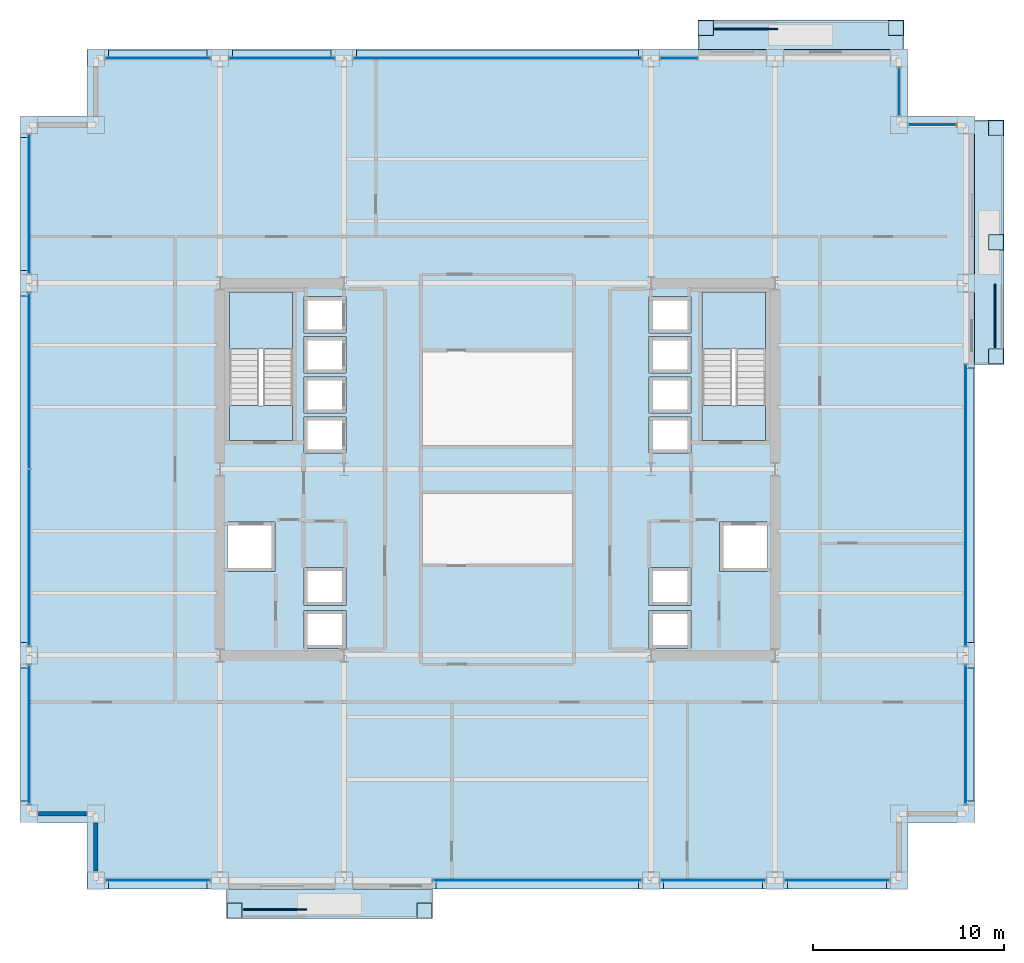
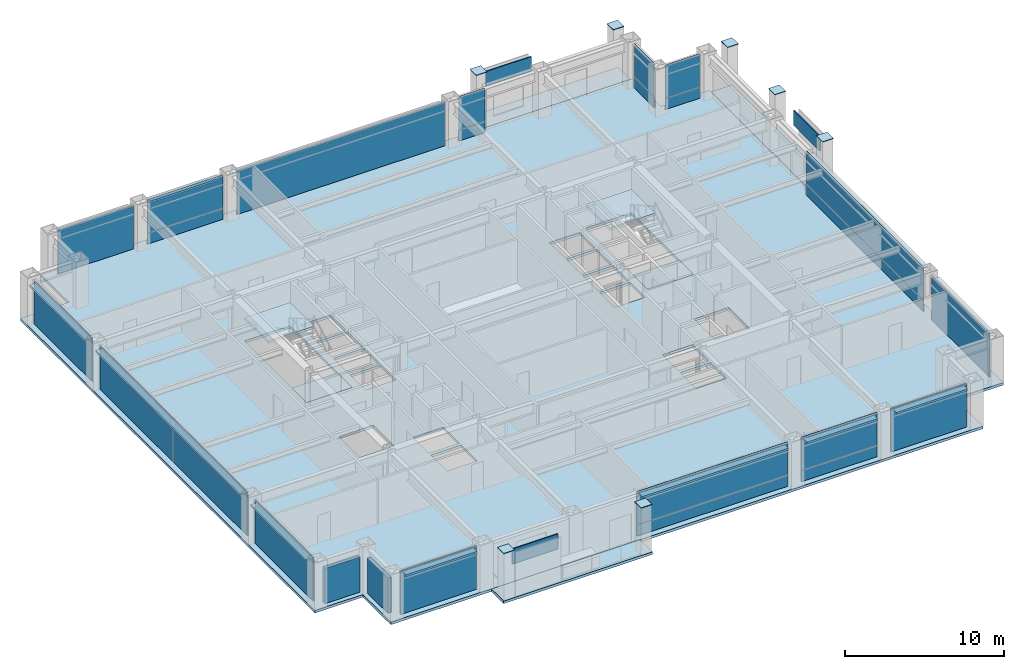
# One storey, part 24 of 31: 45 plates, 8 slabs, 2 walls, 17 elements without a shape of their own.
"""IFC4 building model written with IfcOpenShell, lengths in metres."""

from ifc_helpers import new_model, si_unit, direction, frame, frame_2d, origin, origin_2d, place, context, subcontext, project, spatial, polyline, rectangle, outline, extrude, material, layer, layer_set, type_object, element, aggregate, save


model = new_model("IFC4")

# Units and contexts
model_context = context("Model", 3, precision=1e-05, world=origin(), true_north=direction((0.0, 1.0)))
body_context = subcontext(model_context, "Body", "Model", "MODEL_VIEW")
ifc_project = project(units=[si_unit("LENGTHUNIT", "METRE"), si_unit("AREAUNIT", "SQUARE_METRE"), si_unit("VOLUMEUNIT", "CUBIC_METRE"), si_unit("PLANEANGLEUNIT", "RADIAN"), si_unit("MASSUNIT", "GRAM", prefix="KILO")], contexts=[model_context])

# Site, building, storey
site_placement = place(None, origin())
site = spatial("IfcSite", under=ifc_project, at=site_placement, CompositionType="ELEMENT")
building_placement = place(site_placement, origin())
building = spatial("IfcBuilding", under=site, at=building_placement, Name="Brelmoor Portico Tower", CompositionType="ELEMENT")
storey_placement = place(building_placement, frame((0.0, 0.0, 31.199951171875)))
storey = spatial("IfcBuildingStorey", under=building, at=storey_placement, Name="L07", CompositionType="ELEMENT", Elevation=31.199951171875)

# Plates
ifc_material_1 = material(Name="Steel Q355B", Category="steel")
ifc_layer_1 = layer(ifc_material_1, 0.044921875)
ifc_layer_set_1 = layer_set([ifc_layer_1], Name="Steel Q355B")
plate_type_1 = type_object("IfcPlateType", Name="PT-CAP-650", PredefinedType="SHEET", material=ifc_layer_set_1)
for number, where, z_axis, x_axis, name in (
    (1, (-13.780029296875, -23.1298828125, 3.60009765625), (0.0, 0.0, 1.0), (1.0, 0.0, 0.0), "L07 Proud Picture-Frame Pier PFJ-S1 Welded Head Cap Plate"),
    (2, (-3.820068359375, -23.1298828125, 3.60009765625), (0.0, 0.0, 1.0), (1.0, 0.0, 0.0), "L07 Proud Picture-Frame Pier PFJ-S2 Welded Head Cap Plate"),
    (3, (10.919921875, 23.1298828125, 3.60009765625), (0.0, 0.0, 1.0), (1.0, 0.0, 0.0), "L07 Proud Picture-Frame Pier PFJ-N1 Welded Head Cap Plate"),
    (4, (20.8798828125, 23.1298828125, 3.60009765625), (0.0, 0.0, 1.0), (1.0, 0.0, 0.0), "L07 Proud Picture-Frame Pier PFJ-N2 Welded Head Cap Plate"),
    (5, (26.1298828125, 5.919921875, 3.60009765625), (0.0, 0.0, 1.0), (0.0, 1.0, 0.0), "L07 Proud Picture-Frame Pier PFJ-E1 Welded Head Cap Plate"),
    (6, (26.1298828125, 17.8798828125, 3.60009765625), (0.0, 0.0, 1.0), (0.0, 1.0, 0.0), "L07 Proud Picture-Frame Pier PFJ-E2 Welded Head Cap Plate"),
    (7, (26.1298828125, 11.89990234375, 3.60009765625), (0.0, 0.0, 1.0), (0.0, 1.0, 0.0), "L07 Proud Picture-Frame Pier PFJ-E3 Welded Head Cap Plate"),
):
    element("IfcPlate", number, at=place(storey_placement, frame(where, z_axis=z_axis, x_axis=x_axis)), inside=storey, type_object=plate_type_1, Name=name, PredefinedType="SHEET", context=body_context, shape_type="SweptSolid", body=[
        extrude(rectangle(XDim=0.7900390625, YDim=0.7900390625, at=origin_2d()), origin(), (0.0, 0.0, 1.0), 0.0400390625),
    ])

# Curtain wall, plate
ifc_material_2 = material(Name="Anodised Aluminium Alloy 6063-T6", Category="aluminium")
ifc_layer_2 = layer(ifc_material_2, 0.179931640625)
ifc_layer_set_2 = layer_set([ifc_layer_2], Name="Anodised Aluminium Alloy 6063-T6")
curtain_wall_type_1 = type_object("IfcCurtainWallType", Name="CW-TOWER-Z1", PredefinedType="NOTDEFINED", material=ifc_layer_set_2)
curtain_wall_1_placement = place(storey_placement, origin())
curtain_wall_1 = element("IfcCurtainWall", 8, at=curtain_wall_1_placement, inside=storey, type_object=curtain_wall_type_1, Name="L07 Curtain Wall CW-L07-1R-1", PredefinedType="NOTDEFINED")
ifc_material_3 = material(Name="Double-Silver Low-E Insulated Glazing", Category="glass")
ifc_layer_3 = layer(ifc_material_3, 0.035888671875)
ifc_layer_set_3 = layer_set([ifc_layer_3], Name="Double-Silver Low-E Insulated Glazing")
plate_type_2 = type_object("IfcPlateType", Name="PT-CW-GLASS", PredefinedType="CURTAIN_PANEL", material=ifc_layer_set_3)
plate_1_placement = place(storey_placement, frame((2.08251953125, -21.550048828125, 0.85009765625), z_axis=(0.0, 0.0, 1.0), x_axis=(1.0, 0.0, 0.0)))
plate_1 = element("IfcPlate", 9, at=plate_1_placement, type_object=plate_type_2, Name="CW-L07-1R-1 Vision Glass Panel 00", PredefinedType="CURTAIN_PANEL", context=body_context, shape_type="SweptSolid", body=[
    extrude(rectangle(XDim=10.93505859375, YDim=0.035888671875, at=origin_2d()), origin(), (0.0, 0.0, 1.0), 2.550048828125),
])

curtain_wall_2_placement = place(storey_placement, origin())
curtain_wall_2 = element("IfcCurtainWall", 10, at=curtain_wall_2_placement, inside=storey, type_object=curtain_wall_type_1, Name="L07 Curtain Wall CW-L07-1R-2", PredefinedType="NOTDEFINED")
plate_2_placement = place(storey_placement, frame((11.300048828125, -21.550048828125, 0.85009765625), z_axis=(0.0, 0.0, 1.0), x_axis=(1.0, 0.0, 0.0)))
plate_2 = element("IfcPlate", 11, at=plate_2_placement, type_object=plate_type_2, Name="CW-L07-1R-2 Vision Glass Panel 00", PredefinedType="CURTAIN_PANEL", context=body_context, shape_type="SweptSolid", body=[
    extrude(rectangle(XDim=5.5, YDim=0.035888671875, at=origin_2d()), origin(), (0.0, 0.0, 1.0), 2.550048828125),
])

curtain_wall_3_placement = place(storey_placement, origin())
curtain_wall_3 = element("IfcCurtainWall", 12, at=curtain_wall_3_placement, inside=storey, type_object=curtain_wall_type_1, Name="L07 Curtain Wall CW-L07-2L-2", PredefinedType="NOTDEFINED")
plate_3_placement = place(storey_placement, frame((-11.300048828125, 21.550048828125, 0.85009765625), z_axis=(0.0, 0.0, 1.0), x_axis=(1.0, 0.0, 0.0)))
plate_3 = element("IfcPlate", 13, at=plate_3_placement, type_object=plate_type_2, Name="CW-L07-2L-2 Vision Glass Panel 00", PredefinedType="CURTAIN_PANEL", context=body_context, shape_type="SweptSolid", body=[
    extrude(rectangle(XDim=5.5, YDim=0.035888671875, at=origin_2d()), origin(), (0.0, 0.0, 1.0), 2.550048828125),
])

curtain_wall_4_placement = place(storey_placement, origin())
curtain_wall_4 = element("IfcCurtainWall", 14, at=curtain_wall_4_placement, inside=storey, type_object=curtain_wall_type_1, Name="L07 Curtain Wall CW-L07-2L-4", PredefinedType="NOTDEFINED")
plate_4_placement = place(storey_placement, frame((9.517578125, 21.550048828125, 0.85009765625), z_axis=(0.0, 0.0, 1.0), x_axis=(1.0, 0.0, 0.0)))
plate_4 = element("IfcPlate", 15, at=plate_4_placement, type_object=plate_type_2, Name="CW-L07-2L-4 Vision Glass Panel 00", PredefinedType="CURTAIN_PANEL", context=body_context, shape_type="SweptSolid", body=[
    extrude(rectangle(XDim=1.93505859375, YDim=0.035888671875, at=origin_2d()), origin(), (0.0, 0.0, 1.0), 2.550048828125),
])

curtain_wall_5_placement = place(storey_placement, origin())
curtain_wall_5 = element("IfcCurtainWall", 16, at=curtain_wall_5_placement, inside=storey, type_object=curtain_wall_type_1, Name="L07 Curtain Wall CW-L07-4L-2", PredefinedType="NOTDEFINED")
plate_5_placement = place(storey_placement, frame((24.550048828125, -1.882568359375, 0.85009765625), z_axis=(0.0, 0.0, 1.0), x_axis=(0.0, 1.0, 0.0)))
plate_5 = element("IfcPlate", 17, at=plate_5_placement, type_object=plate_type_2, Name="CW-L07-4L-2 Vision Glass Panel 00", PredefinedType="CURTAIN_PANEL", context=body_context, shape_type="SweptSolid", body=[
    extrude(rectangle(XDim=14.735107421875, YDim=0.035888671875, at=origin_2d()), origin(), (0.0, 0.0, 1.0), 2.550048828125),
])

ifc_layer_4 = layer(ifc_material_2, 0.179931640625)
ifc_layer_set_4 = layer_set([ifc_layer_4], Name="Anodised Aluminium Alloy 6063-T6")
curtain_wall_type_2 = type_object("IfcCurtainWallType", Name="CW-NOTCH-CHAMFER", PredefinedType="NOTDEFINED", material=ifc_layer_set_4)
curtain_wall_6_placement = place(storey_placement, origin())
curtain_wall_6 = element("IfcCurtainWall", 18, at=curtain_wall_6_placement, inside=storey, type_object=curtain_wall_type_2, Name="L07 Curtain Wall CWN-L07-NEH", PredefinedType="NOTDEFINED")
plate_6_placement = place(storey_placement, frame((22.800048828125, 18.050048828125, 0.85009765625), z_axis=(0.0, 0.0, 1.0), x_axis=(1.0, 0.0, 0.0)))
plate_6 = element("IfcPlate", 19, at=plate_6_placement, type_object=plate_type_2, Name="CWN-L07-NEH Vision Glass Panel 00", PredefinedType="CURTAIN_PANEL", context=body_context, shape_type="SweptSolid", body=[
    extrude(rectangle(XDim=2.5, YDim=0.035888671875, at=origin_2d()), origin(), (0.0, 0.0, 1.0), 2.550048828125),
])

curtain_wall_7_placement = place(storey_placement, origin())
curtain_wall_7 = element("IfcCurtainWall", 20, at=curtain_wall_7_placement, inside=storey, type_object=curtain_wall_type_2, Name="L07 Curtain Wall CWN-L07-NEV", PredefinedType="NOTDEFINED")
plate_7_placement = place(storey_placement, frame((21.050048828125, 19.800048828125, 0.85009765625), z_axis=(0.0, 0.0, 1.0), x_axis=(0.0, 1.0, 0.0)))
plate_7 = element("IfcPlate", 21, at=plate_7_placement, type_object=plate_type_2, Name="CWN-L07-NEV Vision Glass Panel 00", PredefinedType="CURTAIN_PANEL", context=body_context, shape_type="SweptSolid", body=[
    extrude(rectangle(XDim=2.5, YDim=0.035888671875, at=origin_2d()), origin(), (0.0, 0.0, 1.0), 2.550048828125),
])

ifc_layer_5 = layer(ifc_material_2, 0.179931640625)
ifc_layer_set_5 = layer_set([ifc_layer_5], Name="Anodised Aluminium Alloy 6063-T6")
curtain_wall_type_3 = type_object("IfcCurtainWallType", Name="CW-TOWER-Z1-XB", PredefinedType="NOTDEFINED", material=ifc_layer_set_5)
curtain_wall_8_placement = place(storey_placement, origin())
curtain_wall_8 = element("IfcCurtainWall", 22, at=curtain_wall_8_placement, inside=storey, type_object=curtain_wall_type_3, Name="L07 Curtain Wall CW-L07-1L", PredefinedType="NOTDEFINED")
ifc_material_4 = material(Name="Pale Champagne Anodised Aluminium Panel", Category="aluminium")
ifc_layer_6 = layer(ifc_material_4, 0.050048828125)
ifc_layer_set_6 = layer_set([ifc_layer_6], Name="Pale Champagne Anodised Aluminium Panel")
plate_type_3 = type_object("IfcPlateType", Name="PT-CW-SPANDREL", PredefinedType="SHEET", material=ifc_layer_set_6)
plate_8_placement = place(storey_placement, frame((-17.800048828125, -21.550048828125, 0.0), z_axis=(0.0, 0.0, 1.0), x_axis=(1.0, 0.0, 0.0)))
plate_8 = element("IfcPlate", 23, at=plate_8_placement, type_object=plate_type_3, Name="CW-L07-1L Spandrel Panel 00", PredefinedType="SHEET", context=body_context, shape_type="SweptSolid", body=[
    extrude(rectangle(XDim=5.5, YDim=0.050048828125, at=origin_2d()), origin(), (0.0, 0.0, 1.0), 3.330078125),
])
aggregate(curtain_wall_8, [plate_8])

# Plate
plate_9_placement = place(storey_placement, frame((2.08251953125, -21.550048828125, 0.0), z_axis=(0.0, 0.0, 1.0), x_axis=(1.0, 0.0, 0.0)))
plate_9 = element("IfcPlate", 24, at=plate_9_placement, type_object=plate_type_3, Name="CW-L07-1R-1 Spandrel Panel 00", PredefinedType="SHEET", context=body_context, shape_type="SweptSolid", body=[
    extrude(rectangle(XDim=10.93505859375, YDim=0.050048828125, at=origin_2d()), origin(), (0.0, 0.0, 1.0), 0.85009765625),
])

aggregate(curtain_wall_1, [plate_9, plate_1])

plate_10_placement = place(storey_placement, frame((11.300048828125, -21.550048828125, 0.0), z_axis=(0.0, 0.0, 1.0), x_axis=(1.0, 0.0, 0.0)))
plate_10 = element("IfcPlate", 25, at=plate_10_placement, type_object=plate_type_3, Name="CW-L07-1R-2 Spandrel Panel 00", PredefinedType="SHEET", context=body_context, shape_type="SweptSolid", body=[
    extrude(rectangle(XDim=5.5, YDim=0.050048828125, at=origin_2d()), origin(), (0.0, 0.0, 1.0), 0.85009765625),
])

aggregate(curtain_wall_2, [plate_10, plate_2])

# Curtain wall, plate
curtain_wall_9_placement = place(storey_placement, origin())
curtain_wall_9 = element("IfcCurtainWall", 26, at=curtain_wall_9_placement, inside=storey, type_object=curtain_wall_type_3, Name="L07 Curtain Wall CW-L07-1R-3", PredefinedType="NOTDEFINED")
plate_11_placement = place(storey_placement, frame((17.800048828125, -21.550048828125, 0.0), z_axis=(0.0, 0.0, 1.0), x_axis=(1.0, 0.0, 0.0)))
plate_11 = element("IfcPlate", 27, at=plate_11_placement, type_object=plate_type_3, Name="CW-L07-1R-3 Spandrel Panel 00", PredefinedType="SHEET", context=body_context, shape_type="SweptSolid", body=[
    extrude(rectangle(XDim=5.5, YDim=0.050048828125, at=origin_2d()), origin(), (0.0, 0.0, 1.0), 3.330078125),
])
aggregate(curtain_wall_9, [plate_11])

curtain_wall_10_placement = place(storey_placement, origin())
curtain_wall_10 = element("IfcCurtainWall", 28, at=curtain_wall_10_placement, inside=storey, type_object=curtain_wall_type_3, Name="L07 Curtain Wall CW-L07-2L-1", PredefinedType="NOTDEFINED")
plate_12_placement = place(storey_placement, frame((-17.800048828125, 21.550048828125, 0.0), z_axis=(0.0, 0.0, 1.0), x_axis=(1.0, 0.0, 0.0)))
plate_12 = element("IfcPlate", 29, at=plate_12_placement, type_object=plate_type_3, Name="CW-L07-2L-1 Spandrel Panel 00", PredefinedType="SHEET", context=body_context, shape_type="SweptSolid", body=[
    extrude(rectangle(XDim=5.5, YDim=0.050048828125, at=origin_2d()), origin(), (0.0, 0.0, 1.0), 3.330078125),
])
aggregate(curtain_wall_10, [plate_12])

# Plate
plate_13_placement = place(storey_placement, frame((-11.300048828125, 21.550048828125, 0.0), z_axis=(0.0, 0.0, 1.0), x_axis=(1.0, 0.0, 0.0)))
plate_13 = element("IfcPlate", 30, at=plate_13_placement, type_object=plate_type_3, Name="CW-L07-2L-2 Spandrel Panel 00", PredefinedType="SHEET", context=body_context, shape_type="SweptSolid", body=[
    extrude(rectangle(XDim=5.5, YDim=0.050048828125, at=origin_2d()), origin(), (0.0, 0.0, 1.0), 0.85009765625),
])

aggregate(curtain_wall_3, [plate_13, plate_3])

# Curtain wall, plate
curtain_wall_11_placement = place(storey_placement, origin())
curtain_wall_11 = element("IfcCurtainWall", 31, at=curtain_wall_11_placement, inside=storey, type_object=curtain_wall_type_3, Name="L07 Curtain Wall CW-L07-2L-3", PredefinedType="NOTDEFINED")
plate_14_placement = place(storey_placement, frame((0.0, 21.550048828125, 0.0), z_axis=(0.0, 0.0, 1.0), x_axis=(1.0, 0.0, 0.0)))
plate_14 = element("IfcPlate", 32, at=plate_14_placement, type_object=plate_type_3, Name="CW-L07-2L-3 Spandrel Panel 00", PredefinedType="SHEET", context=body_context, shape_type="SweptSolid", body=[
    extrude(rectangle(XDim=15.10009765625, YDim=0.050048828125, at=origin_2d()), origin(), (0.0, 0.0, 1.0), 3.330078125),
])
aggregate(curtain_wall_11, [plate_14])

# Plate
plate_15_placement = place(storey_placement, frame((9.517578125, 21.550048828125, 0.0), z_axis=(0.0, 0.0, 1.0), x_axis=(1.0, 0.0, 0.0)))
plate_15 = element("IfcPlate", 33, at=plate_15_placement, type_object=plate_type_3, Name="CW-L07-2L-4 Spandrel Panel 00", PredefinedType="SHEET", context=body_context, shape_type="SweptSolid", body=[
    extrude(rectangle(XDim=1.93505859375, YDim=0.050048828125, at=origin_2d()), origin(), (0.0, 0.0, 1.0), 0.85009765625),
])

aggregate(curtain_wall_4, [plate_15, plate_4])

# Curtain wall, plate
curtain_wall_12_placement = place(storey_placement, origin())
curtain_wall_12 = element("IfcCurtainWall", 34, at=curtain_wall_12_placement, inside=storey, type_object=curtain_wall_type_3, Name="L07 Curtain Wall CW-L07-03-1", PredefinedType="NOTDEFINED")
plate_16_placement = place(storey_placement, frame((-24.550048828125, -13.89990234375, 0.0), z_axis=(0.0, 0.0, 1.0), x_axis=(0.0, 1.0, 0.0)))
plate_16 = element("IfcPlate", 35, at=plate_16_placement, type_object=plate_type_3, Name="CW-L07-03-1 Spandrel Panel 00", PredefinedType="SHEET", context=body_context, shape_type="SweptSolid", body=[
    extrude(rectangle(XDim=7.300048828125, YDim=0.050048828125, at=origin_2d()), origin(), (0.0, 0.0, 1.0), 3.330078125),
])
aggregate(curtain_wall_12, [plate_16])

# Curtain wall, plates
curtain_wall_13_placement = place(storey_placement, origin())
curtain_wall_13 = element("IfcCurtainWall", 36, at=curtain_wall_13_placement, inside=storey, type_object=curtain_wall_type_3, Name="L07 Curtain Wall CW-L07-03-2", PredefinedType="NOTDEFINED")
plate_17_placement = place(storey_placement, frame((-24.550048828125, -4.632568359375, 0.0), z_axis=(0.0, 0.0, 1.0), x_axis=(0.0, 1.0, 0.0)))
plate_17 = element("IfcPlate", 37, at=plate_17_placement, type_object=plate_type_3, Name="CW-L07-03-2 Spandrel Panel 00", PredefinedType="SHEET", context=body_context, shape_type="SweptSolid", body=[
    extrude(rectangle(XDim=9.235107421875, YDim=0.050048828125, at=origin_2d()), origin(), (0.0, 0.0, 1.0), 3.330078125),
])
plate_18_placement = place(storey_placement, frame((-24.550048828125, 4.632568359375, 0.0), z_axis=(0.0, 0.0, 1.0), x_axis=(0.0, 1.0, 0.0)))
plate_18 = element("IfcPlate", 38, at=plate_18_placement, type_object=plate_type_3, Name="CW-L07-03-2 Spandrel Panel 01", PredefinedType="SHEET", context=body_context, shape_type="SweptSolid", body=[
    extrude(rectangle(XDim=9.235107421875, YDim=0.050048828125, at=origin_2d()), origin(), (0.0, 0.0, 1.0), 3.330078125),
])
aggregate(curtain_wall_13, [plate_17, plate_18])

# Curtain wall, plate
curtain_wall_14_placement = place(storey_placement, origin())
curtain_wall_14 = element("IfcCurtainWall", 39, at=curtain_wall_14_placement, inside=storey, type_object=curtain_wall_type_3, Name="L07 Curtain Wall CW-L07-03-3", PredefinedType="NOTDEFINED")
plate_19_placement = place(storey_placement, frame((-24.550048828125, 13.89990234375, 0.0), z_axis=(0.0, 0.0, 1.0), x_axis=(0.0, 1.0, 0.0)))
plate_19 = element("IfcPlate", 40, at=plate_19_placement, type_object=plate_type_3, Name="CW-L07-03-3 Spandrel Panel 00", PredefinedType="SHEET", context=body_context, shape_type="SweptSolid", body=[
    extrude(rectangle(XDim=7.300048828125, YDim=0.050048828125, at=origin_2d()), origin(), (0.0, 0.0, 1.0), 3.330078125),
])
aggregate(curtain_wall_14, [plate_19])

curtain_wall_15_placement = place(storey_placement, origin())
curtain_wall_15 = element("IfcCurtainWall", 41, at=curtain_wall_15_placement, inside=storey, type_object=curtain_wall_type_3, Name="L07 Curtain Wall CW-L07-4L-1", PredefinedType="NOTDEFINED")
plate_20_placement = place(storey_placement, frame((24.550048828125, -13.89990234375, 0.0), z_axis=(0.0, 0.0, 1.0), x_axis=(0.0, 1.0, 0.0)))
plate_20 = element("IfcPlate", 42, at=plate_20_placement, type_object=plate_type_3, Name="CW-L07-4L-1 Spandrel Panel 00", PredefinedType="SHEET", context=body_context, shape_type="SweptSolid", body=[
    extrude(rectangle(XDim=7.300048828125, YDim=0.050048828125, at=origin_2d()), origin(), (0.0, 0.0, 1.0), 3.330078125),
])
aggregate(curtain_wall_15, [plate_20])

# Plate
plate_21_placement = place(storey_placement, frame((24.550048828125, -1.882568359375, 0.0), z_axis=(0.0, 0.0, 1.0), x_axis=(0.0, 1.0, 0.0)))
plate_21 = element("IfcPlate", 43, at=plate_21_placement, type_object=plate_type_3, Name="CW-L07-4L-2 Spandrel Panel 00", PredefinedType="SHEET", context=body_context, shape_type="SweptSolid", body=[
    extrude(rectangle(XDim=14.735107421875, YDim=0.050048828125, at=origin_2d()), origin(), (0.0, 0.0, 1.0), 0.85009765625),
])

aggregate(curtain_wall_5, [plate_21, plate_5])

plate_22_placement = place(storey_placement, frame((22.800048828125, 18.050048828125, 0.0), z_axis=(0.0, 0.0, 1.0), x_axis=(1.0, 0.0, 0.0)))
plate_22 = element("IfcPlate", 44, at=plate_22_placement, type_object=plate_type_3, Name="CWN-L07-NEH Spandrel Panel 00", PredefinedType="SHEET", context=body_context, shape_type="SweptSolid", body=[
    extrude(rectangle(XDim=2.5, YDim=0.050048828125, at=origin_2d()), origin(), (0.0, 0.0, 1.0), 0.85009765625),
])

aggregate(curtain_wall_6, [plate_22, plate_6])

plate_23_placement = place(storey_placement, frame((21.050048828125, 19.800048828125, 0.0), z_axis=(0.0, 0.0, 1.0), x_axis=(0.0, 1.0, 0.0)))
plate_23 = element("IfcPlate", 45, at=plate_23_placement, type_object=plate_type_3, Name="CWN-L07-NEV Spandrel Panel 00", PredefinedType="SHEET", context=body_context, shape_type="SweptSolid", body=[
    extrude(rectangle(XDim=2.5, YDim=0.050048828125, at=origin_2d()), origin(), (0.0, 0.0, 1.0), 0.85009765625),
])

aggregate(curtain_wall_7, [plate_23, plate_7])

# Plates
ifc_material_5 = material(Name="Powder-Coated Aluminium Shuttered Jalousie Louvre", Category="aluminium")
ifc_layer_7 = layer(ifc_material_5, 0.06005859375)
ifc_layer_set_7 = layer_set([ifc_layer_7], Name="Powder-Coated Aluminium Shuttered Jalousie Louvre")
plate_type_4 = type_object("IfcPlateType", Name="PT-JALOUSIE-SHUTTER", PredefinedType="SHEET", material=ifc_layer_set_7)
for number, where, z_axis, x_axis, name in (
    (46, (-11.64990234375, -23.080078125, 2.275146484375), (0.0, 0.0, 1.0), (1.0, 0.0, 0.0), "L07 Shuttered Veranda Screen S"),
    (47, (13.050048828125, 23.080078125, 2.275146484375), (0.0, 0.0, 1.0), (1.0, 0.0, 0.0), "L07 Shuttered Veranda Screen N"),
    (48, (26.080078125, 8.050048828125, 2.275146484375), (0.0, 0.0, 1.0), (0.0, 1.0, 0.0), "L07 Shuttered Veranda Screen E"),
):
    element("IfcPlate", number, at=place(storey_placement, frame(where, z_axis=z_axis, x_axis=x_axis)), inside=storey, type_object=plate_type_4, Name=name, PredefinedType="SHEET", context=body_context, shape_type="SweptSolid", body=[
        extrude(rectangle(XDim=3.300048828125, YDim=0.080078125, at=origin_2d()), origin(), (0.0, 0.0, 1.0), 1.14990234375),
    ])
ifc_material_6 = material(Name="Pale Champagne Perforated Aluminium Solar Screen", Category="aluminium")
ifc_layer_8 = layer(ifc_material_6, 0.054931640625)
ifc_layer_set_8 = layer_set([ifc_layer_8], Name="Pale Champagne Perforated Aluminium Solar Screen")
plate_type_5 = type_object("IfcPlateType", Name="PT-SOLAR-LOUVRE", PredefinedType="SHEET", material=ifc_layer_set_8)
plate_24_placement = place(storey_placement, frame((-17.800048828125, -21.760009765625, 3.09033203125), z_axis=(0.0, 0.0, 1.0), x_axis=(1.0, 0.0, 0.0)))
element("IfcPlate", 49, at=plate_24_placement, inside=storey, type_object=plate_type_5, Name="CW-L07-1L Caribbean Brise-Soleil Solar Screen", PredefinedType="SHEET", context=body_context, shape_type="SweptSolid", body=[
    extrude(rectangle(XDim=5.169921875, YDim=0.4599609375, at=origin_2d()), origin(), (0.0, 0.0, 1.0), 0.139892578125),
])
plate_25_placement = place(storey_placement, frame((2.08251953125, -21.760009765625, 3.09033203125), z_axis=(0.0, 0.0, 1.0), x_axis=(1.0, 0.0, 0.0)))
element("IfcPlate", 50, at=plate_25_placement, inside=storey, type_object=plate_type_5, Name="CW-L07-1R-1 Caribbean Brise-Soleil Solar Screen", PredefinedType="SHEET", context=body_context, shape_type="SweptSolid", body=[
    extrude(rectangle(XDim=10.60498046875, YDim=0.4599609375, at=origin_2d()), origin(), (0.0, 0.0, 1.0), 0.139892578125),
])
for number, where, z_axis, x_axis, name in (
    (51, (11.300048828125, -21.760009765625, 3.09033203125), (0.0, 0.0, 1.0), (1.0, 0.0, 0.0), "CW-L07-1R-2 Caribbean Brise-Soleil Solar Screen"),
    (52, (17.800048828125, -21.760009765625, 3.09033203125), (0.0, 0.0, 1.0), (1.0, 0.0, 0.0), "CW-L07-1R-3 Caribbean Brise-Soleil Solar Screen"),
    (53, (-17.800048828125, 21.760009765625, 3.09033203125), (0.0, 0.0, 1.0), (1.0, 0.0, 0.0), "CW-L07-2L-1 Caribbean Brise-Soleil Solar Screen"),
    (54, (-11.300048828125, 21.760009765625, 3.09033203125), (0.0, 0.0, 1.0), (1.0, 0.0, 0.0), "CW-L07-2L-2 Caribbean Brise-Soleil Solar Screen"),
):
    element("IfcPlate", number, at=place(storey_placement, frame(where, z_axis=z_axis, x_axis=x_axis)), inside=storey, type_object=plate_type_5, Name=name, PredefinedType="SHEET", context=body_context, shape_type="SweptSolid", body=[
        extrude(rectangle(XDim=5.169921875, YDim=0.4599609375, at=origin_2d()), origin(), (0.0, 0.0, 1.0), 0.139892578125),
    ])
plate_26_placement = place(storey_placement, frame((0.0, 21.760009765625, 3.09033203125), z_axis=(0.0, 0.0, 1.0), x_axis=(1.0, 0.0, 0.0)))
element("IfcPlate", 55, at=plate_26_placement, inside=storey, type_object=plate_type_5, Name="CW-L07-2L-3 Caribbean Brise-Soleil Solar Screen", PredefinedType="SHEET", context=body_context, shape_type="SweptSolid", body=[
    extrude(rectangle(XDim=14.77001953125, YDim=0.4599609375, at=origin_2d()), origin(), (0.0, 0.0, 1.0), 0.139892578125),
])
plate_27_placement = place(storey_placement, frame((-24.760009765625, -13.89990234375, 3.09033203125), z_axis=(0.0, 0.0, 1.0), x_axis=(0.0, 1.0, 0.0)))
element("IfcPlate", 56, at=plate_27_placement, inside=storey, type_object=plate_type_5, Name="CW-L07-03-1 Caribbean Brise-Soleil Solar Screen", PredefinedType="SHEET", context=body_context, shape_type="SweptSolid", body=[
    extrude(rectangle(XDim=6.969970703125, YDim=0.4599609375, at=origin_2d()), origin(), (0.0, 0.0, 1.0), 0.139892578125),
])
plate_28_placement = place(storey_placement, frame((-24.760009765625, 0.0, 3.09033203125), z_axis=(0.0, 0.0, 1.0), x_axis=(0.0, 1.0, 0.0)))
element("IfcPlate", 57, at=plate_28_placement, inside=storey, type_object=plate_type_5, Name="CW-L07-03-2 Caribbean Brise-Soleil Solar Screen", PredefinedType="SHEET", context=body_context, shape_type="SweptSolid", body=[
    extrude(rectangle(XDim=18.169921875, YDim=0.4599609375, at=origin_2d()), origin(), (0.0, 0.0, 1.0), 0.139892578125),
])
for number, where, z_axis, x_axis, name in (
    (58, (-24.760009765625, 13.89990234375, 3.09033203125), (0.0, 0.0, 1.0), (0.0, 1.0, 0.0), "CW-L07-03-3 Caribbean Brise-Soleil Solar Screen"),
    (59, (24.760009765625, -13.89990234375, 3.09033203125), (0.0, 0.0, 1.0), (0.0, 1.0, 0.0), "CW-L07-4L-1 Caribbean Brise-Soleil Solar Screen"),
):
    element("IfcPlate", number, at=place(storey_placement, frame(where, z_axis=z_axis, x_axis=x_axis)), inside=storey, type_object=plate_type_5, Name=name, PredefinedType="SHEET", context=body_context, shape_type="SweptSolid", body=[
        extrude(rectangle(XDim=6.969970703125, YDim=0.4599609375, at=origin_2d()), origin(), (0.0, 0.0, 1.0), 0.139892578125),
    ])
plate_29_placement = place(storey_placement, frame((24.760009765625, -1.882568359375, 3.09033203125), z_axis=(0.0, 0.0, 1.0), x_axis=(0.0, 1.0, 0.0)))
element("IfcPlate", 60, at=plate_29_placement, inside=storey, type_object=plate_type_5, Name="CW-L07-4L-2 Caribbean Brise-Soleil Solar Screen", PredefinedType="SHEET", context=body_context, shape_type="SweptSolid", body=[
    extrude(rectangle(XDim=14.405029296875, YDim=0.4599609375, at=origin_2d()), origin(), (0.0, 0.0, 1.0), 0.139892578125),
])

# Slabs
ifc_material_7 = material(Name="Concrete C40", Category="concrete")
ifc_layer_9 = layer(ifc_material_7, 0.199951171875)
ifc_layer_set_9 = layer_set([ifc_layer_9], Name="Concrete C40")
slab_type_1 = type_object("IfcSlabType", Name="SL-BALCONY-200", PredefinedType="FLOOR", material=ifc_layer_set_9)
slab_1_placement = place(storey_placement, frame((0.0, 0.0, -0.199951171875)))
element("IfcSlab", 61, at=slab_1_placement, inside=storey, type_object=slab_type_1, Name="L07 Loggia Tree Balcony Slab S", PredefinedType="FLOOR", context=body_context, shape_type="SweptSolid", body=[
    extrude(outline(polyline([(-14.199951171875, -23.550048828125), (-3.39990234375, -23.550048828125), (-3.39990234375, -22.0), (-14.199951171875, -22.0), (-14.199951171875, -23.550048828125)])), origin(), (0.0, 0.0, 1.0), 0.199951171875),
])
slab_2_placement = place(storey_placement, frame((0.0, 0.0, -0.199951171875)))
element("IfcSlab", 62, at=slab_2_placement, inside=storey, type_object=slab_type_1, Name="L07 Loggia Tree Balcony Slab N", PredefinedType="FLOOR", context=body_context, shape_type="SweptSolid", body=[
    extrude(outline(polyline([(10.5, 22.0), (21.300048828125, 22.0), (21.300048828125, 23.550048828125), (10.5, 23.550048828125), (10.5, 22.0)])), origin(), (0.0, 0.0, 1.0), 0.199951171875),
])
slab_3_placement = place(storey_placement, frame((0.0, 0.0, -0.199951171875)))
element("IfcSlab", 63, at=slab_3_placement, inside=storey, type_object=slab_type_1, Name="L07 Loggia Tree Balcony Slab E", PredefinedType="FLOOR", context=body_context, shape_type="SweptSolid", body=[
    extrude(outline(polyline([(25.0, 5.5), (26.550048828125, 5.5), (26.550048828125, 18.300048828125), (25.0, 18.300048828125), (25.0, 5.5)])), origin(), (0.0, 0.0, 1.0), 0.199951171875),
])
ifc_layer_10 = layer(ifc_material_7, 0.199951171875)
ifc_layer_set_10 = layer_set([ifc_layer_10], Name="Concrete C40")
slab_type_2 = type_object("IfcSlabType", Name="SL-FLOOR-200", PredefinedType="FLOOR", material=ifc_layer_set_10)
slab_4_placement = place(storey_placement, frame((0.0, 0.0, -0.199951171875)))
element("IfcSlab", 64, at=slab_4_placement, inside=storey, type_object=slab_type_2, Name="L07 Main Structural Floor Slab", PredefinedType="FLOOR", context=body_context, shape_type="SweptSolid", body=[
    extrude(outline(polyline([(-21.5, -22.0), (21.5, -22.0), (21.5, -18.5), (25.0, -18.5), (25.0, 18.5), (21.5, 18.5), (21.5, 22.0), (-21.5, 22.0), (-21.5, 18.5), (-25.0, 18.5), (-25.0, -18.5), (-21.5, -18.5), (-21.5, -22.0)]), holes=[polyline([(-10.72998046875, 1.5), (-10.72998046875, 9.300048828125), (-14.050048828125, 9.300048828125), (-14.050048828125, 1.5), (-10.72998046875, 1.5)]), polyline([(14.050048828125, 1.5), (14.050048828125, 9.300048828125), (10.72998046875, 9.300048828125), (10.72998046875, 1.5), (14.050048828125, 1.5)]), polyline([(-10.14990234375, 0.85009765625), (-7.949951171875, 0.85009765625), (-7.949951171875, 2.75), (-10.14990234375, 2.75), (-10.14990234375, 0.85009765625)]), polyline([(-10.14990234375, 2.949951171875), (-7.949951171875, 2.949951171875), (-7.949951171875, 4.85009765625), (-10.14990234375, 4.85009765625), (-10.14990234375, 2.949951171875)]), polyline([(-10.14990234375, 5.050048828125), (-7.949951171875, 5.050048828125), (-7.949951171875, 6.949951171875), (-10.14990234375, 6.949951171875), (-10.14990234375, 5.050048828125)]), polyline([(-10.14990234375, 7.14990234375), (-7.949951171875, 7.14990234375), (-7.949951171875, 9.050048828125), (-10.14990234375, 9.050048828125), (-10.14990234375, 7.14990234375)]), polyline([(7.949951171875, 0.85009765625), (10.14990234375, 0.85009765625), (10.14990234375, 2.75), (7.949951171875, 2.75), (7.949951171875, 0.85009765625)]), polyline([(7.949951171875, 2.949951171875), (10.14990234375, 2.949951171875), (10.14990234375, 4.85009765625), (7.949951171875, 4.85009765625), (7.949951171875, 2.949951171875)]), polyline([(7.949951171875, 5.050048828125), (10.14990234375, 5.050048828125), (10.14990234375, 6.949951171875), (7.949951171875, 6.949951171875), (7.949951171875, 5.050048828125)]), polyline([(7.949951171875, 7.14990234375), (10.14990234375, 7.14990234375), (10.14990234375, 9.050048828125), (7.949951171875, 9.050048828125), (7.949951171875, 7.14990234375)]), polyline([(-10.14990234375, -9.39990234375), (-7.949951171875, -9.39990234375), (-7.949951171875, -7.39990234375), (-10.14990234375, -7.39990234375), (-10.14990234375, -9.39990234375)]), polyline([(-10.14990234375, -7.14990234375), (-7.949951171875, -7.14990234375), (-7.949951171875, -5.14990234375), (-10.14990234375, -5.14990234375), (-10.14990234375, -7.14990234375)]), polyline([(7.949951171875, -9.39990234375), (10.14990234375, -9.39990234375), (10.14990234375, -7.39990234375), (7.949951171875, -7.39990234375), (7.949951171875, -9.39990234375)]), polyline([(7.949951171875, -7.14990234375), (10.14990234375, -7.14990234375), (10.14990234375, -5.14990234375), (7.949951171875, -5.14990234375), (7.949951171875, -7.14990234375)]), polyline([(-14.14990234375, -5.35009765625), (-11.64990234375, -5.35009765625), (-11.64990234375, -2.75), (-14.14990234375, -2.75), (-14.14990234375, -5.35009765625)]), polyline([(11.64990234375, -5.35009765625), (14.14990234375, -5.35009765625), (14.14990234375, -2.75), (11.64990234375, -2.75), (11.64990234375, -5.35009765625)])]), origin(), (0.0, 0.0, 1.0), 0.199951171875),
])

# Stair, slab
stair_type_1 = type_object("IfcStairType", Name="ST-CORE-W", PredefinedType="HALF_TURN_STAIR", material=ifc_material_7)
stair_1_placement = place(storey_placement, origin())
stair_1 = element("IfcStair", 65, at=stair_1_placement, inside=storey, type_object=stair_type_1, Name="L07 Protected Core Exit Stair ST-W", PredefinedType="HALF_TURN_STAIR")
ifc_layer_11 = layer(ifc_material_7, 0.179931640625)
ifc_layer_set_11 = layer_set([ifc_layer_11], Name="Concrete C40")
slab_type_3 = type_object("IfcSlabType", Name="SL-LANDING-180", PredefinedType="LANDING", material=ifc_layer_set_11)
slab_5_placement = place(storey_placement, frame((0.0, 0.0, 1.60009765625)))
slab_5 = element("IfcSlab", 66, at=slab_5_placement, type_object=slab_type_3, Name="ST-W landing 1", PredefinedType="LANDING", context=body_context, shape_type="SweptSolid", body=[
    extrude(outline(polyline([(-10.72998046875, 6.300048828125), (-10.72998046875, 9.300048828125), (-14.050048828125, 9.300048828125), (-14.050048828125, 6.300048828125), (-10.72998046875, 6.300048828125)])), origin(), (0.0, 0.0, 1.0), 0.199951171875),
])
aggregate(stair_1, [slab_5])

stair_type_2 = type_object("IfcStairType", Name="ST-CORE-E", PredefinedType="HALF_TURN_STAIR", material=ifc_material_7)
stair_2_placement = place(storey_placement, origin())
stair_2 = element("IfcStair", 67, at=stair_2_placement, inside=storey, type_object=stair_type_2, Name="L07 Protected Core Exit Stair ST-E", PredefinedType="HALF_TURN_STAIR")
slab_6_placement = place(storey_placement, frame((0.0, 0.0, 1.60009765625)))
slab_6 = element("IfcSlab", 68, at=slab_6_placement, type_object=slab_type_3, Name="ST-E landing 1", PredefinedType="LANDING", context=body_context, shape_type="SweptSolid", body=[
    extrude(outline(polyline([(14.050048828125, 6.300048828125), (14.050048828125, 9.300048828125), (10.72998046875, 9.300048828125), (10.72998046875, 6.300048828125), (14.050048828125, 6.300048828125)])), origin(), (0.0, 0.0, 1.0), 0.199951171875),
])
aggregate(stair_2, [slab_6])

# Slabs
ifc_layer_12 = layer(ifc_material_7, 0.199951171875)
ifc_layer_set_12 = layer_set([ifc_layer_12], Name="Concrete C40")
slab_type_4 = type_object("IfcSlabType", Name="SL-STAIR-FL200", PredefinedType="LANDING", material=ifc_layer_set_12)
slab_7_placement = place(storey_placement, frame((0.0, 0.0, -0.199951171875)))
element("IfcSlab", 69, at=slab_7_placement, inside=storey, type_object=slab_type_4, Name="L07 ST-W Structural Floor Landing Slab", PredefinedType="LANDING", context=body_context, shape_type="SweptSolid", body=[
    extrude(outline(polyline([(-10.72998046875, 1.5), (-10.72998046875, 3.35009765625), (-14.050048828125, 3.35009765625), (-14.050048828125, 1.5), (-10.72998046875, 1.5)])), origin(), (0.0, 0.0, 1.0), 0.199951171875),
])
slab_8_placement = place(storey_placement, frame((0.0, 0.0, -0.199951171875)))
element("IfcSlab", 70, at=slab_8_placement, inside=storey, type_object=slab_type_4, Name="L07 ST-E Structural Floor Landing Slab", PredefinedType="LANDING", context=body_context, shape_type="SweptSolid", body=[
    extrude(outline(polyline([(14.050048828125, 1.5), (14.050048828125, 3.35009765625), (10.72998046875, 3.35009765625), (10.72998046875, 1.5), (14.050048828125, 1.5)])), origin(), (0.0, 0.0, 1.0), 0.199951171875),
])

# Walls
ifc_material_8 = material(Name="Precast Concrete C40 Insulated Facade Wall", Category="concrete")
ifc_layer_13 = layer(ifc_material_8, 0.25)
ifc_layer_set_13 = layer_set([ifc_layer_13], Name="Precast Concrete C40 Insulated Facade Wall")
wall_type = type_object("IfcWallType", Name="WL-EXT-250", PredefinedType="STANDARD", material=ifc_layer_set_13)
for number, where, z_axis, x_axis, name in (
    (71, (-24.06494140625, -18.050048828125, 0.0), (0.0, 0.0, 1.0), (1.0, 0.0, 0.0), "L07 Corner Notch Facade Wall NSWH1"),
    (72, (-21.050048828125, -21.06494140625, 0.0), (0.0, 0.0, 1.0), (0.0, 1.0, 0.0), "L07 Corner Notch Facade Wall NSWV1"),
):
    element("IfcWall", number, at=place(storey_placement, frame(where, z_axis=z_axis, x_axis=x_axis)), inside=storey, type_object=wall_type, Name=name, PredefinedType="STANDARD", context=body_context, shape_type="SweptSolid", body=[
        extrude(rectangle(XDim=2.530029296875, YDim=0.25, at=frame_2d((1.26513671875, 0.0))), origin(), (0.0, 0.0, 1.0), 2.699951171875),
    ])

save(model, "model.ifc")
